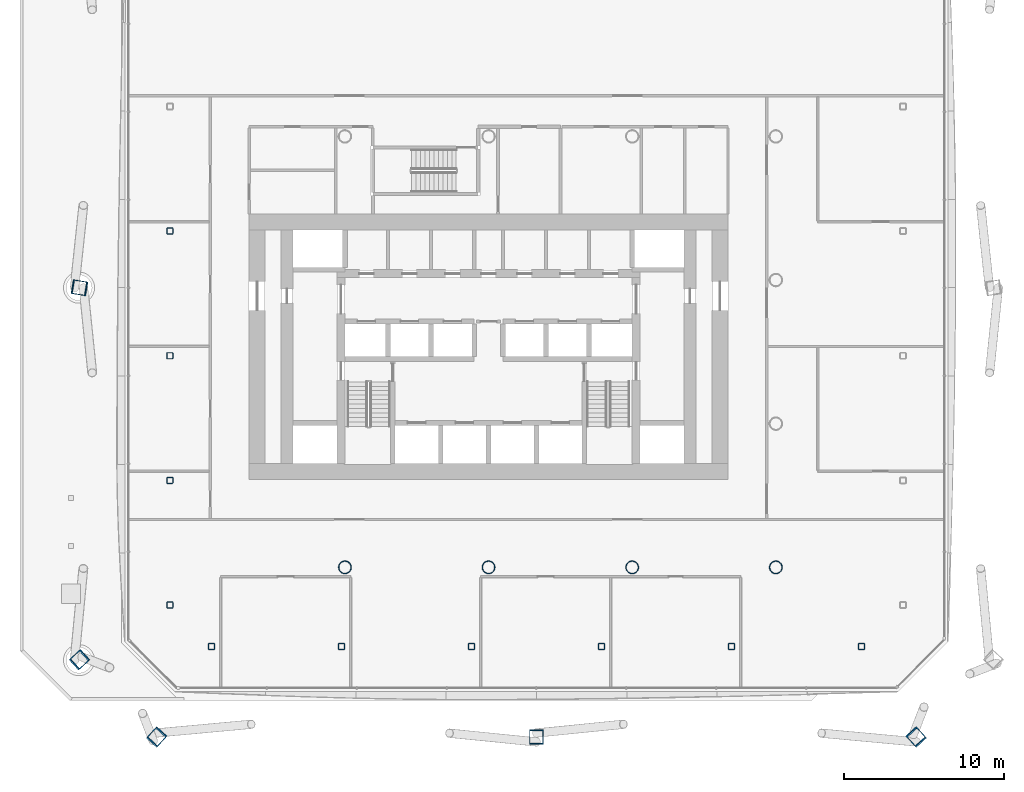
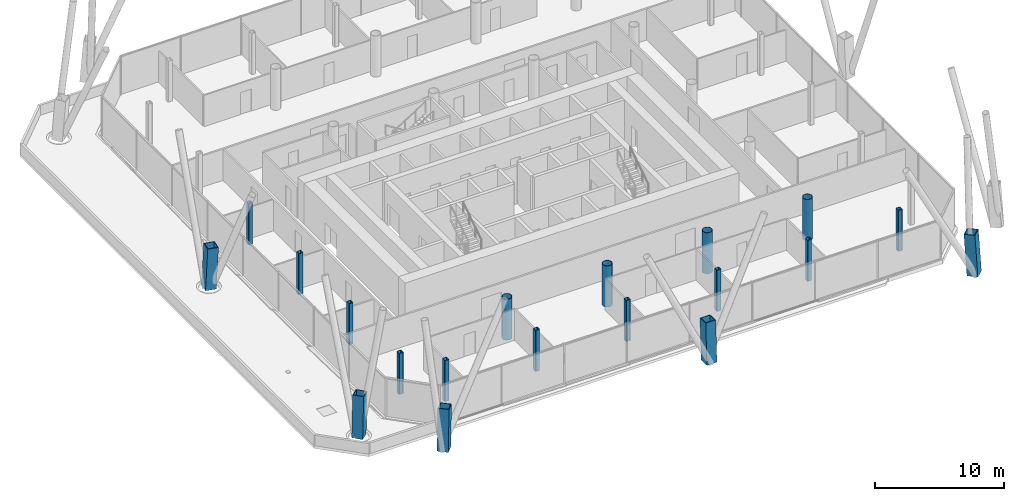
# One storey, part 1 of 23: 19 columns.
"""IFC4 building model written with IfcOpenShell, lengths in metres."""

from ifc_helpers import new_model, si_unit, direction, frame, origin, origin_2d, place, context, subcontext, project, spatial, hollow_rectangle, hollow_circle, extrude, material, material_profile, profile_set, type_object, element, save


model = new_model("IFC4")

# Units and contexts
model_context = context("Model", 3, precision=1e-05, world=origin(), true_north=direction((0.0, 1.0)))
body_context = subcontext(model_context, "Body", "Model", "MODEL_VIEW")
ifc_project = project(units=[si_unit("LENGTHUNIT", "METRE"), si_unit("AREAUNIT", "SQUARE_METRE"), si_unit("VOLUMEUNIT", "CUBIC_METRE"), si_unit("PLANEANGLEUNIT", "RADIAN"), si_unit("MASSUNIT", "GRAM", prefix="KILO")], contexts=[model_context])

# Site, building, storey
site_placement = place(None, origin())
site = spatial("IfcSite", under=ifc_project, at=site_placement, CompositionType="ELEMENT")
building_placement = place(site_placement, origin())
building = spatial("IfcBuilding", under=site, at=building_placement, Name="Tskaro Facet Tower", CompositionType="ELEMENT")
storey_placement = place(building_placement, frame((0.0, 0.0, 62.10009765625)))
storey = spatial("IfcBuildingStorey", under=building, at=storey_placement, Name="L14", CompositionType="ELEMENT", Elevation=62.10009765625)

# Columns
ifc_material_1 = material(Name="Steel S460M", Category="steel")
ifc_material_profile_1 = material_profile(ifc_material_1, hollow_rectangle(XDim=0.89990234375, YDim=0.89990234375, WallThickness=0.054931640625, at=origin_2d()), Name="BOX 900x900x55")
ifc_profile_set_1 = profile_set([ifc_material_profile_1], Name="Steel S460M")
column_type_1 = type_object("IfcColumnType", Name="BOX 900x900x55 mega column", PredefinedType="COLUMN", material=ifc_profile_set_1)
column_1_placement = place(storey_placement, frame((-20.81591796875, -28.658935546875, 0.0), z_axis=(0.042733516305, 0.046794449872, 0.997990043059), x_axis=(-0.738421459448, 0.674339490337, 0.0)))
element("IfcColumn", 1, at=column_1_placement, inside=storey, type_object=column_type_1, Name="BOX 900x900x55 MC01/2", PredefinedType="COLUMN", context=body_context, shape_type="SweptSolid", body=[
    extrude(hollow_rectangle(XDim=0.89990234375, YDim=0.89990234375, WallThickness=0.054931640625, at=origin_2d()), origin(), (0.0, 0.0, 1.0), 3.90771484375),
])
column_2_placement = place(storey_placement, frame((3.0, -28.658935546875, 0.0), z_axis=(0.0, 0.046837235403, 0.998902534475), x_axis=(-1.0, 0.0, 0.0)))
element("IfcColumn", 2, at=column_2_placement, inside=storey, type_object=column_type_1, Name="BOX 900x900x55 MC02/2", PredefinedType="COLUMN", context=body_context, shape_type="SweptSolid", body=[
    extrude(hollow_rectangle(XDim=0.89990234375, YDim=0.89990234375, WallThickness=0.054931640625, at=origin_2d()), origin(), (0.0, 0.0, 1.0), 3.904296875),
])
column_3_placement = place(storey_placement, frame((26.81591796875, -28.658935546875, 0.0), z_axis=(-0.042733516305, 0.046794449872, 0.997990043059), x_axis=(-0.738421459448, -0.674339490337, 0.0)))
element("IfcColumn", 3, at=column_3_placement, inside=storey, type_object=column_type_1, Name="BOX 900x900x55 MC03/2", PredefinedType="COLUMN", context=body_context, shape_type="SweptSolid", body=[
    extrude(hollow_rectangle(XDim=0.89990234375, YDim=0.89990234375, WallThickness=0.054931640625, at=origin_2d()), origin(), (0.0, 0.0, 1.0), 3.90771484375),
])
column_4_placement = place(storey_placement, frame((-25.658935546875, -0.47802734375, 0.0), z_axis=(0.046835850016, -0.007691334515, 0.998872988186), x_axis=(0.162048444398, 0.986782803695, 0.0)))
element("IfcColumn", 4, at=column_4_placement, inside=storey, type_object=column_type_1, Name="BOX 900x900x55 MC11/2", PredefinedType="COLUMN", context=body_context, shape_type="SweptSolid", body=[
    extrude(hollow_rectangle(XDim=0.89990234375, YDim=0.89990234375, WallThickness=0.054931640625, at=origin_2d()), origin(), (0.0, 0.0, 1.0), 3.904296875),
])
column_5_placement = place(storey_placement, frame((-25.658935546875, -23.81591796875, 0.0), z_axis=(0.046794449872, 0.042733516305, 0.997990043059), x_axis=(-0.674339490337, 0.738421459448, 0.0)))
element("IfcColumn", 5, at=column_5_placement, inside=storey, type_object=column_type_1, Name="BOX 900x900x55 MC12/2", PredefinedType="COLUMN", context=body_context, shape_type="SweptSolid", body=[
    extrude(hollow_rectangle(XDim=0.89990234375, YDim=0.89990234375, WallThickness=0.054931640625, at=origin_2d()), origin(), (0.0, 0.0, 1.0), 3.90771484375),
])
ifc_material_2 = material(Name="Steel S355J2H", Category="steel")
ifc_material_profile_2 = material_profile(ifc_material_2, hollow_circle(Radius=0.406494140625, WallThickness=0.035888671875, at=origin_2d()), Name="CHS 812.8x36")
ifc_profile_set_2 = profile_set([ifc_material_profile_2], Name="Steel S355J2H")
column_type_2 = type_object("IfcColumnType", Name="CHS 812.8x36 interior column", PredefinedType="COLUMN", material=ifc_profile_set_2)
for number, where, z_axis, x_axis, name in (
    (6, (-9.0, -18.0, 0.0), (0.0, 0.0, 1.0), (1.0, 0.0, 0.0), "CHS 812.8x36 C3B/2"),
    (7, (0.0, -18.0, 0.0), (0.0, 0.0, 1.0), (1.0, 0.0, 0.0), "CHS 812.8x36 C4B/2"),
    (8, (9.0, -18.0, 0.0), (0.0, 0.0, 1.0), (1.0, 0.0, 0.0), "CHS 812.8x36 C5B/2"),
    (9, (18.0, -18.0, 0.0), (0.0, 0.0, 1.0), (1.0, 0.0, 0.0), "CHS 812.8x36 C6B/2"),
):
    element("IfcColumn", number, at=place(storey_placement, frame(where, z_axis=z_axis, x_axis=x_axis)), inside=storey, type_object=column_type_2, Name=name, PredefinedType="COLUMN", context=body_context, shape_type="SweptSolid", body=[
        extrude(hollow_circle(Radius=0.406494140625, WallThickness=0.035888671875, at=origin_2d()), origin(), (0.0, 0.0, 1.0), 3.89990234375),
    ])
ifc_material_profile_3 = material_profile(ifc_material_2, hollow_rectangle(XDim=0.39990234375, YDim=0.39990234375, WallThickness=0.02490234375, InnerFilletRadius=0.03759765625, OuterFilletRadius=0.0625, at=origin_2d()), Name="SHS 400x400x25")
ifc_profile_set_3 = profile_set([ifc_material_profile_3], Name="Steel S355J2H")
column_type_3 = type_object("IfcColumnType", Name="SHS 400x400x25 ring column", PredefinedType="COLUMN", material=ifc_profile_set_3)
for number, where, z_axis, x_axis, name in (
    (10, (-17.364013671875, -22.965087890625, 0.0), (0.0, 0.0, 1.0), (1.0, 0.0, 0.0), "SHS 400x400x25 RS-1/2"),
    (11, (-9.218017578125, -22.965087890625, 0.0), (0.0, 0.0, 1.0), (1.0, 0.0, 0.0), "SHS 400x400x25 RS-2/2"),
    (12, (-1.072998046875, -22.965087890625, 0.0), (0.0, 0.0, 1.0), (1.0, 0.0, 0.0), "SHS 400x400x25 RS-3/2"),
    (13, (7.072998046875, -22.965087890625, 0.0), (0.0, 0.0, 1.0), (1.0, 0.0, 0.0), "SHS 400x400x25 RS-4/2"),
    (14, (15.218017578125, -22.965087890625, 0.0), (0.0, 0.0, 1.0), (1.0, 0.0, 0.0), "SHS 400x400x25 RS-5/2"),
    (15, (23.364013671875, -22.965087890625, 0.0), (0.0, 0.0, 1.0), (1.0, 0.0, 0.0), "SHS 400x400x25 RSE-1/2"),
    (16, (-19.965087890625, 3.068115234375, 0.0), (0.0, 0.0, 1.0), (1.0, 0.0, 0.0), "SHS 400x400x25 RW-3/2"),
    (17, (-19.965087890625, -4.741943359375, 0.0), (0.0, 0.0, 1.0), (1.0, 0.0, 0.0), "SHS 400x400x25 RW-4/2"),
    (18, (-19.965087890625, -12.552978515625, 0.0), (0.0, 0.0, 1.0), (1.0, 0.0, 0.0), "SHS 400x400x25 RW-5/2"),
    (19, (-19.965087890625, -20.364013671875, 0.0), (0.0, 0.0, 1.0), (1.0, 0.0, 0.0), "SHS 400x400x25 RSW-1/2"),
):
    element("IfcColumn", number, at=place(storey_placement, frame(where, z_axis=z_axis, x_axis=x_axis)), inside=storey, type_object=column_type_3, Name=name, PredefinedType="COLUMN", context=body_context, shape_type="SweptSolid", body=[
        extrude(hollow_rectangle(XDim=0.39990234375, YDim=0.39990234375, WallThickness=0.02490234375, InnerFilletRadius=0.03759765625, OuterFilletRadius=0.0625, at=origin_2d()), origin(), (0.0, 0.0, 1.0), 3.89990234375),
    ])

save(model, "model.ifc")
